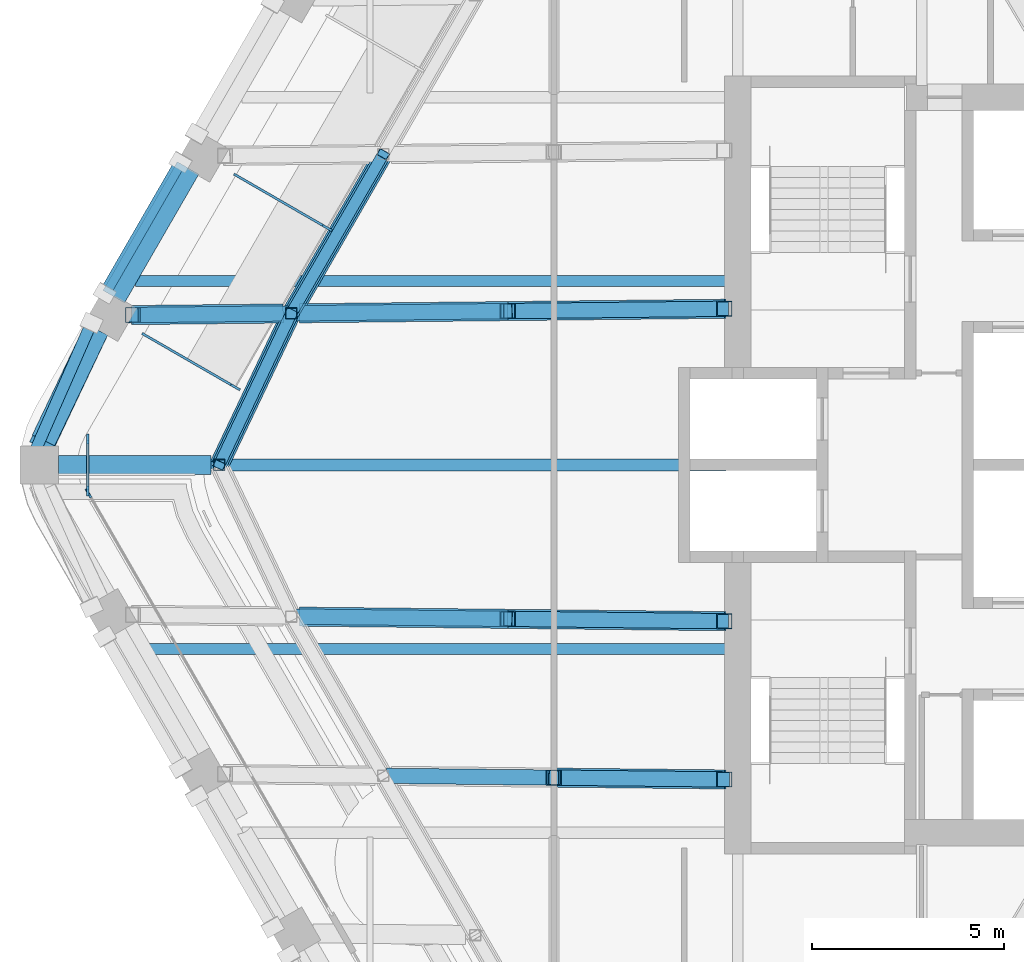
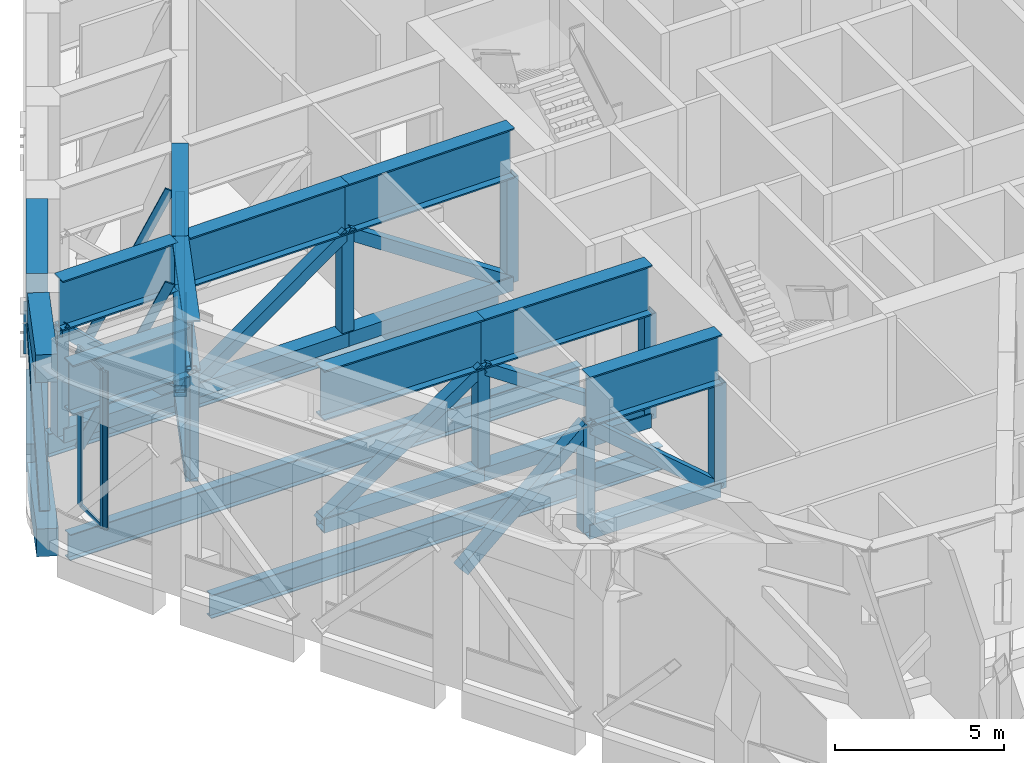
# One storey, part 4 of 24: 35 members, 16 beams, 3 elements without a shape of their own.
"""IFC4 building model written with IfcOpenShell, lengths in metres."""

from ifc_helpers import new_model, si_unit, direction, frame, origin, origin_2d, place, context, subcontext, project, spatial, rectangle, hollow_rectangle, i_section, extrude, material, material_profile, profile_set, type_object, element, aggregate, save


model = new_model("IFC4")

# Units and contexts
model_context = context("Model", 3, precision=1e-05, world=origin(), true_north=direction((0.0, 1.0)))
body_context = subcontext(model_context, "Body", "Model", "MODEL_VIEW")
ifc_project = project(units=[si_unit("LENGTHUNIT", "METRE"), si_unit("AREAUNIT", "SQUARE_METRE"), si_unit("VOLUMEUNIT", "CUBIC_METRE"), si_unit("PLANEANGLEUNIT", "RADIAN"), si_unit("MASSUNIT", "GRAM", prefix="KILO")], contexts=[model_context])

# Site, building, storey
site_placement = place(None, origin())
site = spatial("IfcSite", under=ifc_project, at=site_placement, CompositionType="ELEMENT")
building_placement = place(site_placement, origin())
building = spatial("IfcBuilding", under=site, at=building_placement, Name="Kolab Exchange Tower", CompositionType="ELEMENT")
storey_placement = place(building_placement, frame((0.0, 0.0, 216.800048828125)))
storey = spatial("IfcBuildingStorey", under=building, at=storey_placement, Name="L47", CompositionType="ELEMENT", Elevation=216.800048828125)

# Members
ifc_material_1 = material(Name="Steel S355", Category="steel")
ifc_material_profile_1 = material_profile(ifc_material_1, hollow_rectangle(XDim=0.300048828125, YDim=0.300048828125, WallThickness=0.01611328125, at=origin_2d()), Name="HSS300X300X16")
ifc_profile_set_1 = profile_set([ifc_material_profile_1], Name="Steel S355")
member_type_1 = type_object("IfcMemberType", Name="BELT TRUSS BRACE HSS300X300X16", PredefinedType="BRACE", material=ifc_profile_set_1)
member_1_placement = place(storey_placement, frame((-23.135986328125, 0.0, 4.050048828125), z_axis=(0.324540203016, 0.682207920918, -0.655183950706), x_axis=(-0.903025238378, 0.429587498482, 0.0)))
element("IfcMember", 1, at=member_1_placement, inside=storey, type_object=member_type_1, Name="mem/L47/ring/d-F6-01", PredefinedType="BRACE", context=body_context, shape_type="SweptSolid", body=[
    extrude(hollow_rectangle(XDim=0.300048828125, YDim=0.300048828125, WallThickness=0.01611328125, at=origin_2d()), origin(), (0.0, 0.0, 1.0), 5.800048828125),
])
member_2_placement = place(storey_placement, frame((-21.253662109375, 3.956787109375, 0.25), z_axis=(0.392038591319, 0.678999195849, 0.620697861244), x_axis=(-0.866015339567, 0.500017431331, 0.0)))
element("IfcMember", 2, at=member_2_placement, inside=storey, type_object=member_type_1, Name="mem/L47/ring/d-F6-02", PredefinedType="BRACE", context=body_context, shape_type="SweptSolid", body=[
    extrude(hollow_rectangle(XDim=0.300048828125, YDim=0.300048828125, WallThickness=0.01611328125, at=origin_2d()), origin(), (0.0, 0.0, 1.0), 6.122314453125),
])
member_3_placement = place(storey_placement, frame((-27.912841796875, 0.431396484375, 0.39990234375), z_axis=(0.257411493708, 0.584668732952, 0.769351542285), x_axis=(-0.915224267781, 0.402944834519, 0.0)))
element("IfcMember", 3, at=member_3_placement, inside=storey, type_object=member_type_1, Name="mem/L47/fb/F6-01", PredefinedType="BRACE", context=body_context, shape_type="SweptSolid", body=[
    extrude(hollow_rectangle(XDim=0.300048828125, YDim=0.300048828125, WallThickness=0.01611328125, at=origin_2d()), origin(), (0.0, 0.0, 1.0), 5.589111328125),
])
member_4_placement = place(storey_placement, frame((-26.1171875, 4.49365234375, 4.699951171875), z_axis=(0.337470471595, 0.584582973076, -0.737818696152), x_axis=(-0.866050206543, 0.499957037901, 0.0)))
element("IfcMember", 4, at=member_4_placement, inside=storey, type_object=member_type_1, Name="mem/L47/fb/F6-02", PredefinedType="BRACE", context=body_context, shape_type="SweptSolid", body=[
    extrude(hollow_rectangle(XDim=0.300048828125, YDim=0.300048828125, WallThickness=0.01611328125, at=origin_2d()), origin(), (0.0, 0.0, 1.0), 5.828125),
])
ifc_material_profile_2 = material_profile(ifc_material_1, hollow_rectangle(XDim=0.39990234375, YDim=0.39990234375, WallThickness=0.02001953125, at=origin_2d()), Name="HSS400X400X20")
ifc_profile_set_2 = profile_set([ifc_material_profile_2], Name="Steel S355")
member_type_2 = type_object("IfcMemberType", Name="BELT TRUSS CHORD HSS400X400X20", PredefinedType="CHORD", material=ifc_profile_set_2)
member_5_placement = place(storey_placement, frame((-23.135986328125, 0.0, 0.25), z_axis=(0.429587498482, 0.903025238378, 0.0), x_axis=(-0.903025238378, 0.429587498482, 0.0)))
element("IfcMember", 5, at=member_5_placement, inside=storey, type_object=member_type_2, Name="mem/L47/ring/c-F6-01", PredefinedType="CHORD", context=body_context, shape_type="SweptSolid", body=[
    extrude(hollow_rectangle(XDim=0.39990234375, YDim=0.39990234375, WallThickness=0.02001953125, at=origin_2d()), origin(), (0.0, 0.0, 1.0), 4.381591796875),
])
member_6_placement = place(storey_placement, frame((-21.253662109375, 3.956787109375, 0.25), z_axis=(0.500017431331, 0.866015339567, 0.0), x_axis=(-0.866015339567, 0.500017431331, 0.0)))
element("IfcMember", 6, at=member_6_placement, inside=storey, type_object=member_type_2, Name="mem/L47/ring/c-F6-02", PredefinedType="CHORD", context=body_context, shape_type="SweptSolid", body=[
    extrude(hollow_rectangle(XDim=0.39990234375, YDim=0.39990234375, WallThickness=0.02001953125, at=origin_2d()), origin(), (0.0, 0.0, 1.0), 4.800048828125),
])

# Beams
ifc_material_profile_3 = material_profile(ifc_material_1, i_section(OverallWidth=0.5, OverallDepth=1.800048828125, WebThickness=0.031982421875, FlangeThickness=0.050048828125, at=origin_2d()), Name="PG1800X500")
ifc_profile_set_3 = profile_set([ifc_material_profile_3], Name="Steel S355")
beam_type_1 = type_object("IfcBeamType", Name="BELT TRUSS GIRDER PG1800X500", PredefinedType="BEAM", material=ifc_profile_set_3)
beam_1_placement = place(storey_placement, frame((-23.135986328125, 0.0, 4.949951171875), z_axis=(0.429587498482, 0.903025238378, 0.0), x_axis=(-0.903025238378, 0.429587498482, 0.0)))
element("IfcBeam", 7, at=beam_1_placement, inside=storey, type_object=beam_type_1, Name="beam/L47/bg/F6-in", PredefinedType="BEAM", context=body_context, shape_type="SweptSolid", body=[
    extrude(i_section(OverallWidth=0.5, OverallDepth=1.800048828125, WebThickness=0.031982421875, FlangeThickness=0.050048828125, at=origin_2d()), origin(), (0.0, 0.0, 1.0), 4.381591796875),
])
beam_2_placement = place(storey_placement, frame((-21.253662109375, 3.956787109375, 4.949951171875), z_axis=(0.500017431331, 0.866015339567, 0.0), x_axis=(-0.866015339567, 0.500017431331, 0.0)))
element("IfcBeam", 8, at=beam_2_placement, inside=storey, type_object=beam_type_1, Name="beam/L47/bg/F6-run0", PredefinedType="BEAM", context=body_context, shape_type="SweptSolid", body=[
    extrude(i_section(OverallWidth=0.5, OverallDepth=1.800048828125, WebThickness=0.031982421875, FlangeThickness=0.050048828125, at=origin_2d()), origin(), (0.0, 0.0, 1.0), 4.800048828125),
])

# Members
ifc_material_profile_4 = material_profile(ifc_material_1, hollow_rectangle(XDim=0.300048828125, YDim=0.300048828125, WallThickness=0.01611328125, at=origin_2d()), Name="HSS300X300X16")
ifc_profile_set_4 = profile_set([ifc_material_profile_4], Name="Steel S355")
member_type_3 = type_object("IfcMemberType", Name="BELT TRUSS POST HSS300X300X16", PredefinedType="POST", material=ifc_profile_set_4)
for number, where, z_axis, x_axis, name in (
    (9, (-23.135986328125, 0.0, 0.25), (0.0, 0.0, 1.0), (1.0, 0.0, 0.0), "mem/L47/ring/p-F6-01"),
    (10, (-21.253662109375, 3.956787109375, 0.25), (0.0, 0.0, 1.0), (1.0, 0.0, 0.0), "mem/L47/ring/p-F6-02"),
):
    element("IfcMember", number, at=place(storey_placement, frame(where, z_axis=z_axis, x_axis=x_axis)), inside=storey, type_object=member_type_3, Name=name, PredefinedType="POST", context=body_context, shape_type="SweptSolid", body=[
        extrude(hollow_rectangle(XDim=0.300048828125, YDim=0.300048828125, WallThickness=0.01611328125, at=origin_2d()), origin(), (0.0, 0.0, 1.0), 3.800048828125),
    ])

# Curtain wall, members
ifc_material_2 = material(Name="Aluminium EN AW-6063 T6", Category="aluminium")
curtain_wall_type_1 = type_object("IfcCurtainWallType", Name="CANTED BAND CURTAIN WALL", PredefinedType="NOTDEFINED", material=ifc_material_2)
curtain_wall_1_placement = place(storey_placement, origin())
curtain_wall_1 = element("IfcCurtainWall", 11, at=curtain_wall_1_placement, inside=storey, type_object=curtain_wall_type_1, Name="band/L47/F6", PredefinedType="NOTDEFINED")
ifc_material_profile_5 = material_profile(ifc_material_2, rectangle(XDim=0.06005859375, YDim=0.300048828125, at=origin_2d()), Name="RECT 60X300")
ifc_profile_set_5 = profile_set([ifc_material_profile_5], Name="Aluminium EN AW-6063 T6")
member_type_4 = type_object("IfcMemberType", Name="CANTED BAND MULLION 60 X 300", PredefinedType="MULLION", material=ifc_profile_set_5)
member_7_placement = place(storey_placement, frame((-25.03173828125, 3.366943359375, -0.10009765625), z_axis=(0.355833859075, -0.205421357987, 0.911693111973), x_axis=(0.499964557259, 0.866045865693, 0.0)))
member_7 = element("IfcMember", 12, at=member_7_placement, type_object=member_type_4, Name="Band mullion", PredefinedType="MULLION", context=body_context, shape_type="SweptSolid", body=[
    extrude(rectangle(XDim=0.06005859375, YDim=0.300048828125, at=origin_2d()), origin(), (0.0, 0.0, 1.0), 6.515380859375),
])
member_8_placement = place(storey_placement, frame((-22.631591796875, 7.52392578125, -0.10009765625), z_axis=(0.355798391977, -0.2054599877, 0.911698249269), x_axis=(0.500072450434, 0.865983570466, 0.0)))
member_8 = element("IfcMember", 13, at=member_8_placement, type_object=member_type_4, Name="Band mullion", PredefinedType="MULLION", context=body_context, shape_type="SweptSolid", body=[
    extrude(rectangle(XDim=0.06005859375, YDim=0.300048828125, at=origin_2d()), origin(), (0.0, 0.0, 1.0), 6.51513671875),
])
aggregate(curtain_wall_1, [member_7, member_8])

# Beams
ifc_material_profile_6 = material_profile(ifc_material_1, i_section(OverallWidth=0.2919921875, OverallDepth=0.840087890625, WebThickness=0.0146484375, FlangeThickness=0.021728515625, at=origin_2d()), Name="W840X193")
ifc_profile_set_6 = profile_set([ifc_material_profile_6], Name="Steel S355")
beam_type_2 = type_object("IfcBeamType", Name="FLOOR BEAM W840X193", PredefinedType="BEAM", material=ifc_profile_set_6)
for number, where, z_axis, x_axis, name in (
    (14, (-25.318115234375, -4.800048828125, -0.719970703125), (1.0, 0.0, 0.0), (0.0, 1.0, 0.0), "beam/L47/fr/001"),
    (15, (-25.318115234375, 4.800048828125, -0.719970703125), (1.0, 0.0, 0.0), (0.0, 1.0, 0.0), "beam/L47/fr/002"),
):
    element("IfcBeam", number, at=place(storey_placement, frame(where, z_axis=z_axis, x_axis=x_axis)), inside=storey, type_object=beam_type_2, Name=name, PredefinedType="BEAM", context=body_context, shape_type="SweptSolid", body=[
        extrude(i_section(OverallWidth=0.2919921875, OverallDepth=0.840087890625, WebThickness=0.0146484375, FlangeThickness=0.021728515625, at=origin_2d()), origin(), (0.0, 0.0, 1.0), 15.408203125),
    ])
ifc_material_profile_7 = material_profile(ifc_material_1, i_section(OverallWidth=0.30908203125, OverallDepth=0.93310546875, WebThickness=0.01806640625, FlangeThickness=0.027587890625, at=origin_2d()), Name="W920X238")
ifc_profile_set_7 = profile_set([ifc_material_profile_7], Name="Steel S355")
beam_type_3 = type_object("IfcBeamType", Name="FLOOR BEAM W920X238", PredefinedType="BEAM", material=ifc_profile_set_7)
beam_3_placement = place(storey_placement, frame((-27.3759765625, 0.0, -0.7666015625), z_axis=(1.0, 0.0, 0.0), x_axis=(0.0, 1.0, 0.0)))
element("IfcBeam", 16, at=beam_3_placement, inside=storey, type_object=beam_type_3, Name="beam/L47/fr/000", PredefinedType="BEAM", context=body_context, shape_type="SweptSolid", body=[
    extrude(i_section(OverallWidth=0.30908203125, OverallDepth=0.93310546875, WebThickness=0.01806640625, FlangeThickness=0.027587890625, at=origin_2d()), origin(), (0.0, 0.0, 1.0), 17.466064453125),
])

# Members
ifc_material_profile_8 = material_profile(ifc_material_1, hollow_rectangle(XDim=0.39990234375, YDim=0.39990234375, WallThickness=0.02001953125, at=origin_2d()), Name="HSS400X400X20")
ifc_profile_set_8 = profile_set([ifc_material_profile_8], Name="Steel S355")
member_type_5 = type_object("IfcMemberType", Name="OUTRIGGER BRACE HSS400X400X20", PredefinedType="BRACE", material=ifc_profile_set_8)
member_9_placement = place(storey_placement, frame((-9.949951171875, -8.208251953125, 0.25), z_axis=(-0.760569999289, 0.008049904572, 0.64920603449), x_axis=(-0.010583448905, -0.999943993736, 0.0)))
element("IfcMember", 17, at=member_9_placement, inside=storey, type_object=member_type_5, Name="mem/L47/out/08/d00", PredefinedType="BRACE", context=body_context, shape_type="SweptSolid", body=[
    extrude(hollow_rectangle(XDim=0.39990234375, YDim=0.39990234375, WallThickness=0.02001953125, at=origin_2d()), origin(), (0.0, 0.0, 1.0), 5.853271484375),
])
member_10_placement = place(storey_placement, frame((-14.40185546875, -8.1611328125, 4.050048828125), z_axis=(-0.744795297784, 0.007887782594, -0.667246391736), x_axis=(-0.01058994372, -0.999943924974, 0.0)))
element("IfcMember", 18, at=member_10_placement, inside=storey, type_object=member_type_5, Name="mem/L47/out/08/d01", PredefinedType="BRACE", context=body_context, shape_type="SweptSolid", body=[
    extrude(hollow_rectangle(XDim=0.39990234375, YDim=0.39990234375, WallThickness=0.02001953125, at=origin_2d()), origin(), (0.0, 0.0, 1.0), 5.695068359375),
])
member_11_placement = place(storey_placement, frame((-9.949951171875, -4.076904296875, 0.25), z_axis=(-0.829833198629, 0.008818097921, 0.557941846076), x_axis=(-0.010625749983, -0.999943545125, 0.0)))
element("IfcMember", 19, at=member_11_placement, inside=storey, type_object=member_type_5, Name="mem/L47/out/09/d00", PredefinedType="BRACE", context=body_context, shape_type="SweptSolid", body=[
    extrude(hollow_rectangle(XDim=0.39990234375, YDim=0.39990234375, WallThickness=0.02001953125, at=origin_2d()), origin(), (0.0, 0.0, 1.0), 6.810791015625),
])
member_12_placement = place(storey_placement, frame((-15.601806640625, -4.016845703125, 4.050048828125), z_axis=(-0.819856890389, 0.008717186318, -0.572502130951), x_axis=(-0.010631969696, -0.999943479013, 0.0)))
element("IfcMember", 20, at=member_12_placement, inside=storey, type_object=member_type_5, Name="mem/L47/out/09/d01", PredefinedType="BRACE", context=body_context, shape_type="SweptSolid", body=[
    extrude(hollow_rectangle(XDim=0.39990234375, YDim=0.39990234375, WallThickness=0.02001953125, at=origin_2d()), origin(), (0.0, 0.0, 1.0), 6.6376953125),
])
member_13_placement = place(storey_placement, frame((-9.949951171875, 4.076904296875, 0.25), z_axis=(-0.829833198629, -0.008818097921, 0.557941846076), x_axis=(0.010625749983, -0.999943545125, 0.0)))
element("IfcMember", 21, at=member_13_placement, inside=storey, type_object=member_type_5, Name="mem/L47/out/10/d00", PredefinedType="BRACE", context=body_context, shape_type="SweptSolid", body=[
    extrude(hollow_rectangle(XDim=0.39990234375, YDim=0.39990234375, WallThickness=0.02001953125, at=origin_2d()), origin(), (0.0, 0.0, 1.0), 6.810791015625),
])
member_14_placement = place(storey_placement, frame((-15.601806640625, 4.016845703125, 4.050048828125), z_axis=(-0.819856890389, -0.008717186318, -0.572502130951), x_axis=(0.010631969696, -0.999943479013, 0.0)))
element("IfcMember", 22, at=member_14_placement, inside=storey, type_object=member_type_5, Name="mem/L47/out/10/d01", PredefinedType="BRACE", context=body_context, shape_type="SweptSolid", body=[
    extrude(hollow_rectangle(XDim=0.39990234375, YDim=0.39990234375, WallThickness=0.02001953125, at=origin_2d()), origin(), (0.0, 0.0, 1.0), 6.6376953125),
])
member_15_placement = place(storey_placement, frame((-21.463623046875, 3.95458984375, 0.25), z_axis=(-0.718195745705, -0.007599481935, 0.695799625414), x_axis=(0.010580759602, -0.999944022196, 0.0)))
element("IfcMember", 23, at=member_15_placement, inside=storey, type_object=member_type_5, Name="mem/L47/out/10/d02", PredefinedType="BRACE", context=body_context, shape_type="SweptSolid", body=[
    extrude(hollow_rectangle(XDim=0.39990234375, YDim=0.39990234375, WallThickness=0.02001953125, at=origin_2d()), origin(), (0.0, 0.0, 1.0), 5.46142578125),
])
ifc_material_profile_9 = material_profile(ifc_material_1, hollow_rectangle(XDim=0.5, YDim=0.5, WallThickness=0.02490234375, at=origin_2d()), Name="HSS500X500X25")
ifc_profile_set_9 = profile_set([ifc_material_profile_9], Name="Steel S355")
member_type_6 = type_object("IfcMemberType", Name="OUTRIGGER CHORD HSS500X500X25", PredefinedType="CHORD", material=ifc_profile_set_9)
member_16_placement = place(storey_placement, frame((-9.949951171875, -8.208251953125, 0.25), z_axis=(-0.999943993736, 0.010583448905, 0.0), x_axis=(-0.010583448905, -0.999943993736, 0.0)))
element("IfcMember", 24, at=member_16_placement, inside=storey, type_object=member_type_6, Name="mem/L47/out/08/c00", PredefinedType="CHORD", context=body_context, shape_type="SweptSolid", body=[
    extrude(hollow_rectangle(XDim=0.5, YDim=0.5, WallThickness=0.02490234375, at=origin_2d()), origin(), (0.0, 0.0, 1.0), 4.4521484375),
])
member_17_placement = place(storey_placement, frame((-9.949951171875, -4.076904296875, 0.25), z_axis=(-0.999943545125, 0.010625749983, 0.0), x_axis=(-0.010625749983, -0.999943545125, 0.0)))
element("IfcMember", 25, at=member_17_placement, inside=storey, type_object=member_type_6, Name="mem/L47/out/09/c00", PredefinedType="CHORD", context=body_context, shape_type="SweptSolid", body=[
    extrude(hollow_rectangle(XDim=0.5, YDim=0.5, WallThickness=0.02490234375, at=origin_2d()), origin(), (0.0, 0.0, 1.0), 5.652099609375),
])
member_18_placement = place(storey_placement, frame((-15.601806640625, -4.016845703125, 0.25), z_axis=(-0.999943479013, 0.010631969696, 0.0), x_axis=(-0.010631969696, -0.999943479013, 0.0)))
element("IfcMember", 26, at=member_18_placement, inside=storey, type_object=member_type_6, Name="mem/L47/out/09/c01", PredefinedType="CHORD", context=body_context, shape_type="SweptSolid", body=[
    extrude(hollow_rectangle(XDim=0.5, YDim=0.5, WallThickness=0.02490234375, at=origin_2d()), origin(), (0.0, 0.0, 1.0), 5.442138671875),
])
member_19_placement = place(storey_placement, frame((-9.949951171875, 4.076904296875, 0.25), z_axis=(-0.999943545125, -0.010625749983, 0.0), x_axis=(0.010625749983, -0.999943545125, 0.0)))
element("IfcMember", 27, at=member_19_placement, inside=storey, type_object=member_type_6, Name="mem/L47/out/10/c00", PredefinedType="CHORD", context=body_context, shape_type="SweptSolid", body=[
    extrude(hollow_rectangle(XDim=0.5, YDim=0.5, WallThickness=0.02490234375, at=origin_2d()), origin(), (0.0, 0.0, 1.0), 5.652099609375),
])
member_20_placement = place(storey_placement, frame((-15.601806640625, 4.016845703125, 0.25), z_axis=(-0.999943479013, -0.010631969696, 0.0), x_axis=(0.010631969696, -0.999943479013, 0.0)))
element("IfcMember", 28, at=member_20_placement, inside=storey, type_object=member_type_6, Name="mem/L47/out/10/c01", PredefinedType="CHORD", context=body_context, shape_type="SweptSolid", body=[
    extrude(hollow_rectangle(XDim=0.5, YDim=0.5, WallThickness=0.02490234375, at=origin_2d()), origin(), (0.0, 0.0, 1.0), 5.442138671875),
])
member_21_placement = place(storey_placement, frame((-21.463623046875, 3.95458984375, 0.25), z_axis=(-0.999944022196, -0.010580759602, 0.0), x_axis=(0.010580759602, -0.999944022196, 0.0)))
element("IfcMember", 29, at=member_21_placement, inside=storey, type_object=member_type_6, Name="mem/L47/out/10/c02", PredefinedType="CHORD", context=body_context, shape_type="SweptSolid", body=[
    extrude(hollow_rectangle(XDim=0.5, YDim=0.5, WallThickness=0.02490234375, at=origin_2d()), origin(), (0.0, 0.0, 1.0), 3.922607421875),
])

# Beams
ifc_material_profile_10 = material_profile(ifc_material_1, i_section(OverallWidth=0.5, OverallDepth=1.800048828125, WebThickness=0.031982421875, FlangeThickness=0.050048828125, at=origin_2d()), Name="PG1800X500")
ifc_profile_set_10 = profile_set([ifc_material_profile_10], Name="Steel S355")
beam_type_4 = type_object("IfcBeamType", Name="OUTRIGGER GIRDER PG1800X500", PredefinedType="BEAM", material=ifc_profile_set_10)
beam_4_placement = place(storey_placement, frame((-9.909912109375, -8.208740234375, 4.949951171875), z_axis=(-0.999943841668, 0.010597806898, 0.0), x_axis=(-0.010597806898, -0.999943841668, 0.0)))
element("IfcBeam", 30, at=beam_4_placement, inside=storey, type_object=beam_type_4, Name="beam/L47/og/08-00", PredefinedType="BEAM", context=body_context, shape_type="SweptSolid", body=[
    extrude(i_section(OverallWidth=0.5, OverallDepth=1.800048828125, WebThickness=0.031982421875, FlangeThickness=0.050048828125, at=origin_2d()), origin(), (0.0, 0.0, 1.0), 4.4921875),
])
beam_5_placement = place(storey_placement, frame((-9.909912109375, -4.077392578125, 4.949951171875), z_axis=(-0.999943427818, 0.010636783482, 0.0), x_axis=(-0.010636783482, -0.999943427818, 0.0)))
element("IfcBeam", 31, at=beam_5_placement, inside=storey, type_object=beam_type_4, Name="beam/L47/og/09-00", PredefinedType="BEAM", context=body_context, shape_type="SweptSolid", body=[
    extrude(i_section(OverallWidth=0.5, OverallDepth=1.800048828125, WebThickness=0.031982421875, FlangeThickness=0.050048828125, at=origin_2d()), origin(), (0.0, 0.0, 1.0), 5.692138671875),
])
beam_6_placement = place(storey_placement, frame((-15.601806640625, -4.016845703125, 4.949951171875), z_axis=(-0.999943479013, 0.010631969696, 0.0), x_axis=(-0.010631969696, -0.999943479013, 0.0)))
element("IfcBeam", 32, at=beam_6_placement, inside=storey, type_object=beam_type_4, Name="beam/L47/og/09-01", PredefinedType="BEAM", context=body_context, shape_type="SweptSolid", body=[
    extrude(i_section(OverallWidth=0.5, OverallDepth=1.800048828125, WebThickness=0.031982421875, FlangeThickness=0.050048828125, at=origin_2d()), origin(), (0.0, 0.0, 1.0), 5.442138671875),
])
beam_7_placement = place(storey_placement, frame((-9.909912109375, 4.077392578125, 4.949951171875), z_axis=(-0.999943427818, -0.010636783482, 0.0), x_axis=(0.010636783482, -0.999943427818, 0.0)))
element("IfcBeam", 33, at=beam_7_placement, inside=storey, type_object=beam_type_4, Name="beam/L47/og/10-00", PredefinedType="BEAM", context=body_context, shape_type="SweptSolid", body=[
    extrude(i_section(OverallWidth=0.5, OverallDepth=1.800048828125, WebThickness=0.031982421875, FlangeThickness=0.050048828125, at=origin_2d()), origin(), (0.0, 0.0, 1.0), 5.692138671875),
])
beam_8_placement = place(storey_placement, frame((-15.601806640625, 4.016845703125, 4.949951171875), z_axis=(-0.999943479013, -0.010631969696, 0.0), x_axis=(0.010631969696, -0.999943479013, 0.0)))
element("IfcBeam", 34, at=beam_8_placement, inside=storey, type_object=beam_type_4, Name="beam/L47/og/10-01", PredefinedType="BEAM", context=body_context, shape_type="SweptSolid", body=[
    extrude(i_section(OverallWidth=0.5, OverallDepth=1.800048828125, WebThickness=0.031982421875, FlangeThickness=0.050048828125, at=origin_2d()), origin(), (0.0, 0.0, 1.0), 5.442138671875),
])
beam_9_placement = place(storey_placement, frame((-21.463623046875, 3.95458984375, 4.949951171875), z_axis=(-0.999943849545, -0.010597063593, 0.0), x_axis=(0.010597063593, -0.999943849545, 0.0)))
element("IfcBeam", 35, at=beam_9_placement, inside=storey, type_object=beam_type_4, Name="beam/L47/og/10-02", PredefinedType="BEAM", context=body_context, shape_type="SweptSolid", body=[
    extrude(i_section(OverallWidth=0.5, OverallDepth=1.800048828125, WebThickness=0.031982421875, FlangeThickness=0.050048828125, at=origin_2d()), origin(), (0.0, 0.0, 1.0), 3.962646484375),
])

# Members
ifc_material_profile_11 = material_profile(ifc_material_1, hollow_rectangle(XDim=0.39990234375, YDim=0.39990234375, WallThickness=0.02001953125, at=origin_2d()), Name="HSS400X400X20")
ifc_profile_set_11 = profile_set([ifc_material_profile_11], Name="Steel S355")
member_type_7 = type_object("IfcMemberType", Name="OUTRIGGER POST HSS400X400X20", PredefinedType="POST", material=ifc_profile_set_11)
for number, where, z_axis, x_axis, name in (
    (36, (-9.949951171875, -8.208251953125, 0.25), (0.0, 0.0, 1.0), (1.0, 0.0, 0.0), "mem/L47/out/08/p00"),
    (37, (-14.40185546875, -8.1611328125, 0.25), (0.0, 0.0, 1.0), (1.0, 0.0, 0.0), "mem/L47/out/08/p01"),
    (38, (-9.949951171875, -4.076904296875, 0.25), (0.0, 0.0, 1.0), (1.0, 0.0, 0.0), "mem/L47/out/09/p00"),
    (39, (-15.601806640625, -4.016845703125, 0.25), (0.0, 0.0, 1.0), (1.0, 0.0, 0.0), "mem/L47/out/09/p01"),
    (40, (-9.949951171875, 4.076904296875, 0.25), (0.0, 0.0, 1.0), (1.0, 0.0, 0.0), "mem/L47/out/10/p00"),
    (41, (-15.601806640625, 4.016845703125, 0.25), (0.0, 0.0, 1.0), (1.0, 0.0, 0.0), "mem/L47/out/10/p01"),
    (42, (-25.385986328125, 3.9130859375, 0.25), (0.0, 0.0, 1.0), (1.0, 0.0, 0.0), "mem/L47/out/10/p03"),
):
    element("IfcMember", number, at=place(storey_placement, frame(where, z_axis=z_axis, x_axis=x_axis)), inside=storey, type_object=member_type_7, Name=name, PredefinedType="POST", context=body_context, shape_type="SweptSolid", body=[
        extrude(hollow_rectangle(XDim=0.39990234375, YDim=0.39990234375, WallThickness=0.02001953125, at=origin_2d()), origin(), (0.0, 0.0, 1.0), 3.800048828125),
    ])

# Beams
ifc_material_3 = material(Name="Concrete C60/75", Category="concrete")
ifc_material_profile_12 = material_profile(ifc_material_3, rectangle(XDim=0.64990234375, YDim=1.0, at=origin_2d()), Name="RC650X1000")
ifc_profile_set_12 = profile_set([ifc_material_profile_12], Name="Concrete C60/75")
beam_type_5 = type_object("IfcBeamType", Name="SPANDREL BEAM 650X1000 C60/75", PredefinedType="BEAM", material=ifc_profile_set_12)
beam_10_placement = place(storey_placement, frame((-27.791259765625, 0.4638671875, -0.800048828125), z_axis=(0.428177731975, 0.903694544545, 0.0), x_axis=(-0.903694544545, 0.428177731975, 0.0)))
element("IfcBeam", 43, at=beam_10_placement, inside=storey, type_object=beam_type_5, Name="beam/L47/sp/F6-01", PredefinedType="BEAM", context=body_context, shape_type="SweptSolid", body=[
    extrude(rectangle(XDim=0.64990234375, YDim=1.0, at=origin_2d()), origin(), (0.0, 0.0, 1.0), 3.445068359375),
])
beam_11_placement = place(storey_placement, frame((-25.888427734375, 4.392822265625, -0.800048828125), z_axis=(0.499996613652, 0.866027358884, 0.0), x_axis=(-0.866027358884, 0.499996613652, 0.0)))
element("IfcBeam", 44, at=beam_11_placement, inside=storey, type_object=beam_type_5, Name="beam/L47/sp/F6-02", PredefinedType="BEAM", context=body_context, shape_type="SweptSolid", body=[
    extrude(rectangle(XDim=0.64990234375, YDim=1.0, at=origin_2d()), origin(), (0.0, 0.0, 1.0), 3.8798828125),
])
beam_12_placement = place(storey_placement, frame((-27.723388671875, 0.64111328125, 5.349853515625), z_axis=(0.431584797896, 0.902072370836, 0.0), x_axis=(-0.902072370836, 0.431584797896, 0.0)))
element("IfcBeam", 45, at=beam_12_placement, inside=storey, type_object=beam_type_5, Name="beam/L47/cp/F6-01", PredefinedType="BEAM", context=body_context, shape_type="SweptSolid", body=[
    extrude(rectangle(XDim=0.64990234375, YDim=1.0, at=origin_2d()), origin(), (0.0, 0.0, 1.0), 3.206787109375),
])
beam_13_placement = place(storey_placement, frame((-25.888427734375, 4.392822265625, 5.349853515625), z_axis=(0.499996613652, 0.866027358884, 0.0), x_axis=(-0.866027358884, 0.499996613652, 0.0)))
element("IfcBeam", 46, at=beam_13_placement, inside=storey, type_object=beam_type_5, Name="beam/L47/cp/F6-02", PredefinedType="BEAM", context=body_context, shape_type="SweptSolid", body=[
    extrude(rectangle(XDim=0.64990234375, YDim=1.0, at=origin_2d()), origin(), (0.0, 0.0, 1.0), 3.8798828125),
])
ifc_material_profile_13 = material_profile(ifc_material_1, i_section(OverallWidth=0.5, OverallDepth=1.800048828125, WebThickness=0.031982421875, FlangeThickness=0.050048828125, at=origin_2d()), Name="PG1800X500")
ifc_profile_set_13 = profile_set([ifc_material_profile_13], Name="Steel S355")
beam_type_6 = type_object("IfcBeamType", Name="TRANSFER GIRDER PG1800X500", PredefinedType="BEAM", material=ifc_profile_set_13)
beam_14_placement = place(storey_placement, frame((-23.35595703125, 0.0, 4.949951171875), z_axis=(-1.0, 0.0, 0.0), x_axis=(0.0, -1.0, 0.0)))
element("IfcBeam", 47, at=beam_14_placement, inside=storey, type_object=beam_type_6, Name="beam/L47/tg/F6-01", PredefinedType="BEAM", context=body_context, shape_type="SweptSolid", body=[
    extrude(i_section(OverallWidth=0.5, OverallDepth=1.800048828125, WebThickness=0.031982421875, FlangeThickness=0.050048828125, at=origin_2d()), origin(), (0.0, 0.0, 1.0), 3.97998046875),
])

# Curtain wall, member
curtain_wall_type_2 = type_object("IfcCurtainWallType", Name="UNITISED UPPER MID ZONE DOUBLE HEIGHT BELT CURTAIN WALL", PredefinedType="NOTDEFINED", material=ifc_material_2)
curtain_wall_2_placement = place(storey_placement, origin())
curtain_wall_2 = element("IfcCurtainWall", 48, at=curtain_wall_2_placement, inside=storey, type_object=curtain_wall_type_2, Name="cw/L47/F5-2", PredefinedType="NOTDEFINED")
ifc_material_profile_14 = material_profile(ifc_material_2, rectangle(XDim=0.06005859375, YDim=0.260009765625, at=origin_2d()), Name="RECT 60X260")
ifc_profile_set_14 = profile_set([ifc_material_profile_14], Name="Aluminium EN AW-6063 T6")
member_type_8 = type_object("IfcMemberType", Name="UNITISED UPPER MID ZONE DOUBLE HEIGHT BELT MULLION 60 X 260", PredefinedType="MULLION", material=ifc_profile_set_14)
member_22_placement = place(storey_placement, frame((-26.550537109375, -0.736083984375, 0.0), z_axis=(0.0, 0.0, 1.0), x_axis=(-0.866025427826, -0.499999958358, 0.0)))
member_22 = element("IfcMember", 49, at=member_22_placement, type_object=member_type_8, Name="CW11 mullion 4", PredefinedType="MULLION", context=body_context, shape_type="SweptSolid", body=[
    extrude(rectangle(XDim=0.06005859375, YDim=0.260009765625, at=origin_2d()), origin(), (0.0, 0.0, 1.0), 5.699951171875),
])
aggregate(curtain_wall_2, [member_22])

# Curtain wall, members
curtain_wall_3_placement = place(storey_placement, origin())
curtain_wall_3 = element("IfcCurtainWall", 50, at=curtain_wall_3_placement, inside=storey, type_object=curtain_wall_type_2, Name="cw/L47/F5F6-corner", PredefinedType="NOTDEFINED")
member_23_placement = place(storey_placement, frame((-26.565673828125, -0.679931640625, 0.0), z_axis=(0.0, 0.0, 1.0), x_axis=(-1.0, 0.0, 0.0)))
member_23 = element("IfcMember", 51, at=member_23_placement, type_object=member_type_8, Name="CW11 mullion 1", PredefinedType="MULLION", context=body_context, shape_type="SweptSolid", body=[
    extrude(rectangle(XDim=0.06005859375, YDim=0.260009765625, at=origin_2d()), origin(), (0.0, 0.0, 1.0), 5.699951171875),
])
member_24_placement = place(storey_placement, frame((-26.565673828125, 0.679931640625, 0.0), z_axis=(0.0, 0.0, 1.0), x_axis=(-1.0, 0.0, 0.0)))
member_24 = element("IfcMember", 52, at=member_24_placement, type_object=member_type_8, Name="CW11 mullion 2", PredefinedType="MULLION", context=body_context, shape_type="SweptSolid", body=[
    extrude(rectangle(XDim=0.06005859375, YDim=0.260009765625, at=origin_2d()), origin(), (0.0, 0.0, 1.0), 5.699951171875),
])
ifc_material_profile_15 = material_profile(ifc_material_2, rectangle(XDim=0.06005859375, YDim=0.139892578125, at=origin_2d()), Name="RECT 60X140")
ifc_profile_set_15 = profile_set([ifc_material_profile_15], Name="Aluminium EN AW-6063 T6")
member_type_9 = type_object("IfcMemberType", Name="UNITISED UPPER MID ZONE DOUBLE HEIGHT BELT TRANSOM 60 X 140", PredefinedType="USERDEFINED", material=ifc_profile_set_15)
member_25_placement = place(storey_placement, frame((-26.565673828125, -0.64990234375, 0.030029296875), z_axis=(0.0, 1.0, 0.0), x_axis=(-1.0, 0.0, 0.0)))
member_25 = element("IfcMember", 53, at=member_25_placement, type_object=member_type_9, Name="CW11 transom 1.1", ObjectType="TRANSOM", PredefinedType="USERDEFINED", context=body_context, shape_type="SweptSolid", body=[
    extrude(rectangle(XDim=0.06005859375, YDim=0.139892578125, at=origin_2d()), origin(), (0.0, 0.0, 1.0), 1.2998046875),
])
member_26_placement = place(storey_placement, frame((-26.565673828125, -0.64990234375, 5.669921875), z_axis=(0.0, 1.0, 0.0), x_axis=(-1.0, 0.0, 0.0)))
member_26 = element("IfcMember", 54, at=member_26_placement, type_object=member_type_9, Name="CW11 transom 1.2", ObjectType="TRANSOM", PredefinedType="USERDEFINED", context=body_context, shape_type="SweptSolid", body=[
    extrude(rectangle(XDim=0.06005859375, YDim=0.139892578125, at=origin_2d()), origin(), (0.0, 0.0, 1.0), 1.2998046875),
])
aggregate(curtain_wall_3, [member_23, member_24, member_25, member_26])

save(model, "model.ifc")
